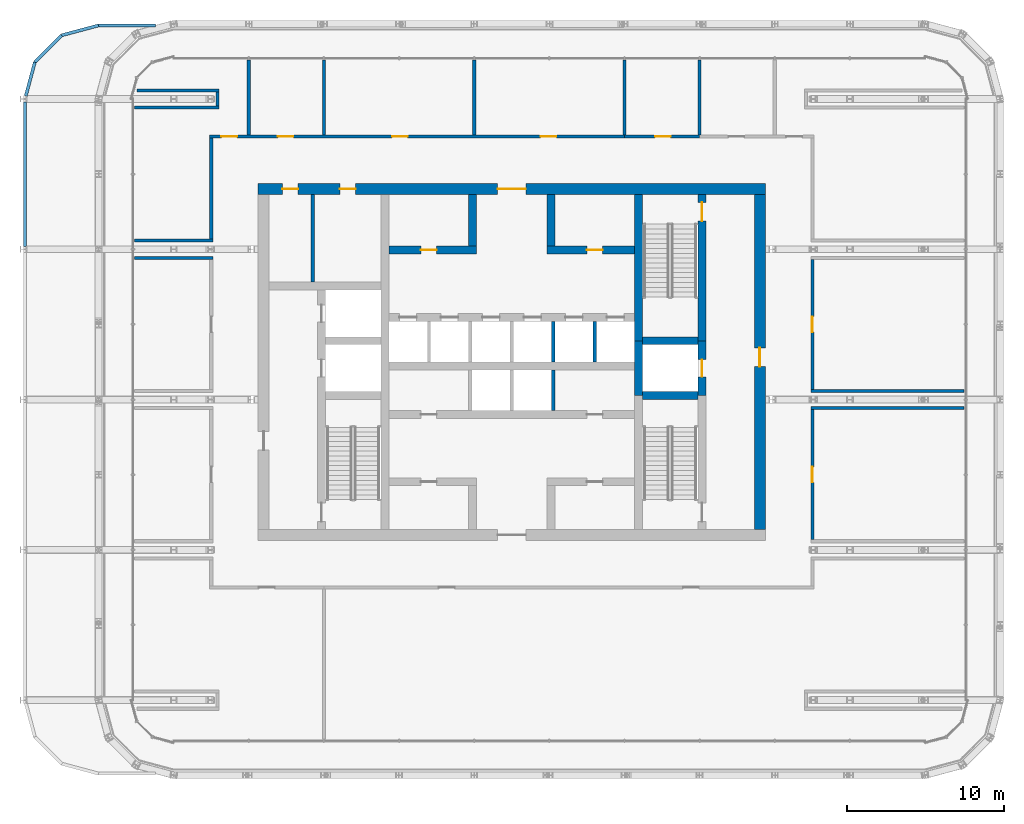
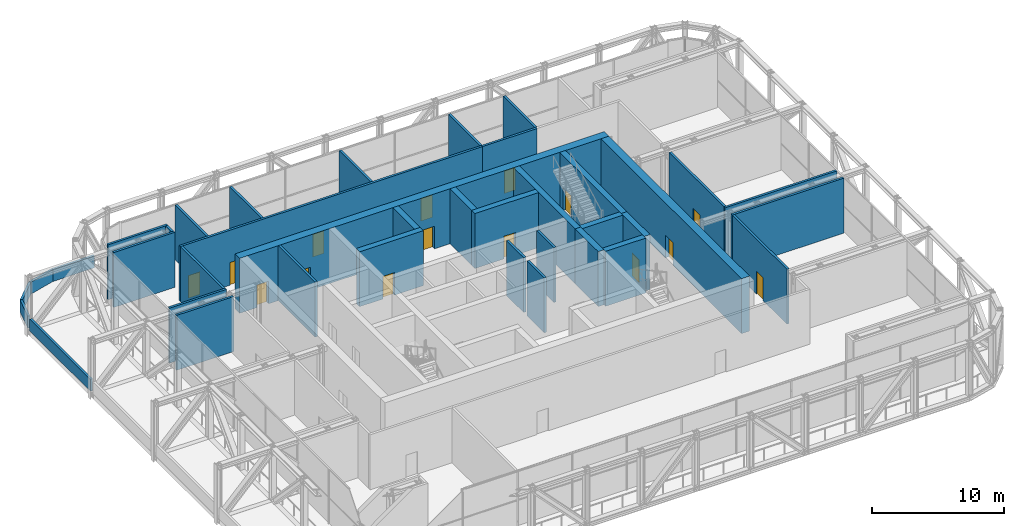
# One storey, part 21 of 30: 38 walls, 15 doors, 15 openings.
"""IFC4 building model written with IfcOpenShell, lengths in metres."""

from ifc_helpers import new_model, si_unit, direction, frame, frame_2d, origin, place, context, subcontext, project, spatial, rectangle, extrude, material, layer, layer_set, type_object, element, fill, save


model = new_model("IFC4")

# Units and contexts
model_context = context("Model", 3, precision=1e-05, world=origin(), true_north=direction((0.0, 1.0)))
body_context = subcontext(model_context, "Body", "Model", "MODEL_VIEW")
ifc_project = project(units=[si_unit("LENGTHUNIT", "METRE"), si_unit("AREAUNIT", "SQUARE_METRE"), si_unit("VOLUMEUNIT", "CUBIC_METRE"), si_unit("PLANEANGLEUNIT", "RADIAN"), si_unit("MASSUNIT", "GRAM", prefix="KILO")], contexts=[model_context])

# Site, building, storey
site_placement = place(None, origin())
site = spatial("IfcSite", under=ifc_project, at=site_placement, CompositionType="ELEMENT")
building_placement = place(site_placement, origin())
building = spatial("IfcBuilding", under=site, at=building_placement, Name="Madar Terraces", CompositionType="ELEMENT")
storey_placement = place(building_placement, frame((0.0, 0.0, 173.5)))
storey = spatial("IfcBuildingStorey", under=building, at=storey_placement, Name="L45", CompositionType="ELEMENT", Elevation=173.5)

# Walls
ifc_material_1 = material(Name="Concrete C60/75", Category="concrete")
ifc_layer_1 = layer(ifc_material_1, 0.5)
ifc_layer_set_1 = layer_set([ifc_layer_1], Name="Concrete C60/75 (CIW4 RC wall 500)")
wall_type_1 = type_object("IfcWallType", Name="CIW4 RC wall 500", PredefinedType="SHEAR", material=ifc_layer_set_1)
wall_1_placement = place(storey_placement, frame((39.300048828125, 24.25, 0.0), z_axis=(0.0, 0.0, 1.0), x_axis=(0.0, 1.0, 0.0)))
element("IfcWall", 1, at=wall_1_placement, inside=storey, type_object=wall_type_1, Name="CORE SHAFT WALL", PredefinedType="SHEAR", context=body_context, shape_type="SweptSolid", body=[
    extrude(rectangle(XDim=3.5, YDim=0.5, at=frame_2d((1.75, 0.0))), origin(), (0.0, 0.0, 1.0), 5.10009765625),
])
wall_2_placement = place(storey_placement, frame((39.300048828125, 27.75, 0.0), z_axis=(0.0, 0.0, 1.0), x_axis=(0.0, 1.0, 0.0)))
element("IfcWall", 2, at=wall_2_placement, inside=storey, type_object=wall_type_1, Name="CORE SHAFT WALL", PredefinedType="SHEAR", context=body_context, shape_type="SweptSolid", body=[
    extrude(rectangle(XDim=9.35009765625, YDim=0.5, at=frame_2d((4.675048828125, 0.0))), origin(), (0.0, 0.0, 1.0), 5.10009765625),
])

# Wall, opening, door
wall_3_placement = place(storey_placement, frame((43.35009765625, 24.25, 0.0), z_axis=(0.0, 0.0, 1.0), x_axis=(0.0, 1.0, 0.0)))
wall_3 = element("IfcWall", 3, at=wall_3_placement, inside=storey, type_object=wall_type_1, Name="CORE SHAFT WALL", PredefinedType="SHEAR", context=body_context, shape_type="SweptSolid", body=[
    extrude(rectangle(XDim=3.5, YDim=0.5, at=frame_2d((1.75, 0.0))), origin(), (0.0, 0.0, 1.0), 5.10009765625),
])
opening_1_placement = place(wall_3_placement, frame((1.199951171875, 0.0, 0.0)))
opening_1 = element("IfcOpeningElement", 4, at=opening_1_placement, cuts=wall_3, Name="Opening LD", PredefinedType="OPENING", context=body_context, shape_type="SweptSolid", body=[
    extrude(rectangle(XDim=1.10009765625, YDim=2.10009765625, at=frame_2d((0.550048828125, 1.050048828125))), frame((0.0, 0.260009765625, 0.0), z_axis=(0.0, -1.0, 0.0), x_axis=(1.0, 0.0, 0.0)), (0.0, 0.0, 1.0), 0.52001953125),
])
ifc_material_2 = material(Name="Stainless steel panel", Category="steel")
door_type_1 = type_object("IfcDoorType", Name="Lift landing door 1100 x 2100", OperationType="DOUBLE_DOOR_SLIDING", PredefinedType="DOOR", material=ifc_material_2)
door_1_placement = place(opening_1_placement, origin())
door_1 = element("IfcDoor", 5, at=door_1_placement, inside=storey, type_object=door_type_1, Name="LIFT LANDING DOOR", OperationType="DOUBLE_DOOR_SLIDING", OverallHeight=2.10009765625, OverallWidth=1.10009765625, PredefinedType="DOOR", context=body_context, shape_type="SweptSolid", body=[
    extrude(rectangle(XDim=1.10009765625, YDim=2.10009765625, at=frame_2d((0.550048828125, 1.050048828125))), frame((0.0, 0.02490234375, 0.0), z_axis=(0.0, -1.0, 0.0), x_axis=(1.0, 0.0, 0.0)), (0.0, 0.0, 1.0), 0.050048828125),
])
fill(opening_1, door_1)

wall_4_placement = place(storey_placement, frame((43.35009765625, 27.75, 0.0), z_axis=(0.0, 0.0, 1.0), x_axis=(0.0, 1.0, 0.0)))
wall_4 = element("IfcWall", 6, at=wall_4_placement, inside=storey, type_object=wall_type_1, Name="CORE SHAFT WALL", PredefinedType="SHEAR", context=body_context, shape_type="SweptSolid", body=[
    extrude(rectangle(XDim=9.35009765625, YDim=0.5, at=frame_2d((4.675048828125, 0.0))), origin(), (0.0, 0.0, 1.0), 5.10009765625),
])
opening_2_placement = place(wall_4_placement, frame((7.64990234375, 0.0, 0.0)))
opening_2 = element("IfcOpeningElement", 7, at=opening_2_placement, cuts=wall_4, Name="Opening SD1", PredefinedType="OPENING", context=body_context, shape_type="SweptSolid", body=[
    extrude(rectangle(XDim=1.199951171875, YDim=2.10009765625, at=frame_2d((0.60009765625, 1.050048828125))), frame((0.0, 0.260009765625, 0.0), z_axis=(0.0, -1.0, 0.0), x_axis=(1.0, 0.0, 0.0)), (0.0, 0.0, 1.0), 0.52001953125),
])
ifc_material_3 = material(Name="Steel door leaf", Category="steel")
door_type_2 = type_object("IfcDoorType", Name="Stair door 1200 x 2100", OperationType="NOTDEFINED", PredefinedType="DOOR", material=ifc_material_3)
door_2_placement = place(opening_2_placement, origin())
door_2 = element("IfcDoor", 8, at=door_2_placement, inside=storey, type_object=door_type_2, Name="STAIR DOOR", OperationType="SINGLE_SWING_LEFT", OverallHeight=2.10009765625, OverallWidth=1.199951171875, PredefinedType="DOOR", context=body_context, shape_type="SweptSolid", body=[
    extrude(rectangle(XDim=1.199951171875, YDim=2.10009765625, at=frame_2d((0.60009765625, 1.050048828125))), frame((0.0, 0.02490234375, 0.0), z_axis=(0.0, -1.0, 0.0), x_axis=(1.0, 0.0, 0.0)), (0.0, 0.0, 1.0), 0.050048828125),
])
fill(opening_2, door_2)

# Walls
for number, where, z_axis, x_axis, name in (
    (9, (39.550048828125, 24.25, 0.0), (0.0, 0.0, 1.0), (1.0, 0.0, 0.0), "CORE SHAFT WALL"),
    (10, (39.550048828125, 27.75, 0.0), (0.0, 0.0, 1.0), (1.0, 0.0, 0.0), "CORE SHAFT WALL"),
):
    element("IfcWall", number, at=place(storey_placement, frame(where, z_axis=z_axis, x_axis=x_axis)), inside=storey, type_object=wall_type_1, Name=name, PredefinedType="SHEAR", context=body_context, shape_type="SweptSolid", body=[
        extrude(rectangle(XDim=3.550048828125, YDim=0.5, at=frame_2d((1.77490234375, 0.0))), origin(), (0.0, 0.0, 1.0), 5.10009765625),
    ])

# Wall, opening, door
wall_5_placement = place(storey_placement, frame((23.35009765625, 33.550048828125, 0.0), z_axis=(0.0, 0.0, 1.0), x_axis=(1.0, 0.0, 0.0)))
wall_5 = element("IfcWall", 11, at=wall_5_placement, inside=storey, type_object=wall_type_1, Name="CORE SHAFT WALL", PredefinedType="SHEAR", context=body_context, shape_type="SweptSolid", body=[
    extrude(rectangle(XDim=5.599853515625, YDim=0.5, at=frame_2d((2.7998046875, 0.0))), origin(), (0.0, 0.0, 1.0), 5.10009765625),
])
opening_3_placement = place(wall_5_placement, frame((2.050048828125, 0.0, 0.0)))
opening_3 = element("IfcOpeningElement", 12, at=opening_3_placement, cuts=wall_5, Name="Opening KD2", PredefinedType="OPENING", context=body_context, shape_type="SweptSolid", body=[
    extrude(rectangle(XDim=1.0, YDim=2.10009765625, at=frame_2d((0.5, 1.050048828125))), frame((0.0, 0.260009765625, 0.0), z_axis=(0.0, -1.0, 0.0), x_axis=(1.0, 0.0, 0.0)), (0.0, 0.0, 1.0), 0.52001953125),
])
ifc_material_4 = material(Name="Steel door leaf", Category="steel")
door_type_3 = type_object("IfcDoorType", Name="Service room door 1000 x 2100", OperationType="NOTDEFINED", PredefinedType="DOOR", material=ifc_material_4)
door_3_placement = place(opening_3_placement, frame((1.0, 0.0, 0.0), z_axis=(0.0, 0.0, 1.0), x_axis=(-1.0, 0.0, 0.0)))
door_3 = element("IfcDoor", 13, at=door_3_placement, inside=storey, type_object=door_type_3, Name="SERVICE ROOM DOOR", OperationType="SINGLE_SWING_RIGHT", OverallHeight=2.10009765625, OverallWidth=1.0, PredefinedType="DOOR", context=body_context, shape_type="SweptSolid", body=[
    extrude(rectangle(XDim=1.0, YDim=2.10009765625, at=frame_2d((0.5, 1.050048828125))), frame((0.0, 0.02490234375, 0.0), z_axis=(0.0, -1.0, 0.0), x_axis=(1.0, 0.0, 0.0)), (0.0, 0.0, 1.0), 0.050048828125),
])
fill(opening_3, door_3)

wall_6_placement = place(storey_placement, frame((33.449951171875, 33.550048828125, 0.0), z_axis=(0.0, 0.0, 1.0), x_axis=(1.0, 0.0, 0.0)))
wall_6 = element("IfcWall", 14, at=wall_6_placement, inside=storey, type_object=wall_type_1, Name="CORE SHAFT WALL", PredefinedType="SHEAR", context=body_context, shape_type="SweptSolid", body=[
    extrude(rectangle(XDim=5.60009765625, YDim=0.5, at=frame_2d((2.800048828125, 0.0))), origin(), (0.0, 0.0, 1.0), 5.10009765625),
])
opening_4_placement = place(wall_6_placement, frame((2.550048828125, 0.0, 0.0)))
opening_4 = element("IfcOpeningElement", 15, at=opening_4_placement, cuts=wall_6, Name="Opening KD2", PredefinedType="OPENING", context=body_context, shape_type="SweptSolid", body=[
    extrude(rectangle(XDim=1.0, YDim=2.10009765625, at=frame_2d((0.5, 1.050048828125))), frame((0.0, 0.260009765625, 0.0), z_axis=(0.0, -1.0, 0.0), x_axis=(1.0, 0.0, 0.0)), (0.0, 0.0, 1.0), 0.52001953125),
])
door_4_placement = place(opening_4_placement, frame((1.0, 0.0, 0.0), z_axis=(0.0, 0.0, 1.0), x_axis=(-1.0, 0.0, 0.0)))
door_4 = element("IfcDoor", 16, at=door_4_placement, inside=storey, type_object=door_type_3, Name="SERVICE ROOM DOOR", OperationType="SINGLE_SWING_LEFT", OverallHeight=2.10009765625, OverallWidth=1.0, PredefinedType="DOOR", context=body_context, shape_type="SweptSolid", body=[
    extrude(rectangle(XDim=1.0, YDim=2.10009765625, at=frame_2d((0.5, 1.050048828125))), frame((0.0, 0.02490234375, 0.0), z_axis=(0.0, -1.0, 0.0), x_axis=(1.0, 0.0, 0.0)), (0.0, 0.0, 1.0), 0.050048828125),
])
fill(opening_4, door_4)

# Walls
for number, where, z_axis, x_axis, name in (
    (17, (28.699951171875, 33.800048828125, 0.0), (0.0, 0.0, 1.0), (0.0, 1.0, 0.0), "CORE SHAFT WALL"),
    (18, (33.699951171875, 33.800048828125, 0.0), (0.0, 0.0, 1.0), (0.0, 1.0, 0.0), "CORE SHAFT WALL"),
):
    element("IfcWall", number, at=place(storey_placement, frame(where, z_axis=z_axis, x_axis=x_axis)), inside=storey, type_object=wall_type_1, Name=name, PredefinedType="SHEAR", context=body_context, shape_type="SweptSolid", body=[
        extrude(rectangle(XDim=3.300048828125, YDim=0.5, at=frame_2d((1.64990234375, 0.0))), origin(), (0.0, 0.0, 1.0), 5.10009765625),
    ])

# Wall, openings, doors
ifc_material_5 = material(Name="Concrete C60/75", Category="concrete")
ifc_layer_2 = layer(ifc_material_5, 0.699951171875)
ifc_layer_set_2 = layer_set([ifc_layer_2], Name="Concrete C60/75 (CRW4 RC wall 700)")
wall_type_2 = type_object("IfcWallType", Name="CRW4 RC wall 700", PredefinedType="SHEAR", material=ifc_layer_set_2)
wall_7_placement = place(storey_placement, frame((15.0, 37.449951171875, 0.0), z_axis=(0.0, 0.0, 1.0), x_axis=(1.0, 0.0, 0.0)))
wall_7 = element("IfcWall", 19, at=wall_7_placement, inside=storey, type_object=wall_type_2, Name="CORE OUTER WALL", PredefinedType="SHEAR", context=body_context, shape_type="SweptSolid", body=[
    extrude(rectangle(XDim=32.39990234375, YDim=0.699951171875, at=frame_2d((16.199951171875, 0.0))), origin(), (0.0, 0.0, 1.0), 5.10009765625),
])
opening_5_placement = place(wall_7_placement, frame((15.300048828125, 0.0, 0.0)))
opening_5 = element("IfcOpeningElement", 20, at=opening_5_placement, cuts=wall_7, Name="Opening KD1", PredefinedType="OPENING", context=body_context, shape_type="SweptSolid", body=[
    extrude(rectangle(XDim=1.800048828125, YDim=2.10009765625, at=frame_2d((0.89990234375, 1.050048828125))), frame((0.0, 0.35986328125, 0.0), z_axis=(0.0, -1.0, 0.0), x_axis=(1.0, 0.0, 0.0)), (0.0, 0.0, 1.0), 0.719970703125),
])
opening_6_placement = place(wall_7_placement, frame((1.544189453125, 0.0, 0.0)))
opening_6 = element("IfcOpeningElement", 21, at=opening_6_placement, cuts=wall_7, Name="Opening KD2", PredefinedType="OPENING", context=body_context, shape_type="SweptSolid", body=[
    extrude(rectangle(XDim=1.0, YDim=2.10009765625, at=frame_2d((0.5, 1.050048828125))), frame((0.0, 0.35986328125, 0.0), z_axis=(0.0, -1.0, 0.0), x_axis=(1.0, 0.0, 0.0)), (0.0, 0.0, 1.0), 0.719970703125),
])
opening_7_placement = place(wall_7_placement, frame((5.21923828125, 0.0, 0.0)))
opening_7 = element("IfcOpeningElement", 22, at=opening_7_placement, cuts=wall_7, Name="Opening KD2", PredefinedType="OPENING", context=body_context, shape_type="SweptSolid", body=[
    extrude(rectangle(XDim=1.0, YDim=2.10009765625, at=frame_2d((0.5, 1.050048828125))), frame((0.0, 0.35986328125, 0.0), z_axis=(0.0, -1.0, 0.0), x_axis=(1.0, 0.0, 0.0)), (0.0, 0.0, 1.0), 0.719970703125),
])
ifc_material_6 = material(Name="Steel door leaf", Category="steel")
door_type_4 = type_object("IfcDoorType", Name="Lobby door pair 1800 x 2100", OperationType="DOUBLE_DOOR_SINGLE_SWING", PredefinedType="DOOR", material=ifc_material_6)
door_5_placement = place(opening_5_placement, origin())
door_5 = element("IfcDoor", 23, at=door_5_placement, inside=storey, type_object=door_type_4, Name="LIFT LOBBY DOOR", OperationType="DOUBLE_DOOR_SINGLE_SWING", OverallHeight=2.10009765625, OverallWidth=1.800048828125, PredefinedType="DOOR", context=body_context, shape_type="SweptSolid", body=[
    extrude(rectangle(XDim=1.800048828125, YDim=2.10009765625, at=frame_2d((0.89990234375, 1.050048828125))), frame((0.0, 0.02490234375, 0.0), z_axis=(0.0, -1.0, 0.0), x_axis=(1.0, 0.0, 0.0)), (0.0, 0.0, 1.0), 0.050048828125),
])
fill(opening_5, door_5)
door_6_placement = place(opening_6_placement, origin())
door_6 = element("IfcDoor", 24, at=door_6_placement, inside=storey, type_object=door_type_3, Name="SERVICE ROOM DOOR", OperationType="SINGLE_SWING_RIGHT", OverallHeight=2.10009765625, OverallWidth=1.0, PredefinedType="DOOR", context=body_context, shape_type="SweptSolid", body=[
    extrude(rectangle(XDim=1.0, YDim=2.10009765625, at=frame_2d((0.5, 1.050048828125))), frame((0.0, 0.02490234375, 0.0), z_axis=(0.0, -1.0, 0.0), x_axis=(1.0, 0.0, 0.0)), (0.0, 0.0, 1.0), 0.050048828125),
])
fill(opening_6, door_6)
door_7_placement = place(opening_7_placement, origin())
door_7 = element("IfcDoor", 25, at=door_7_placement, inside=storey, type_object=door_type_3, Name="SERVICE ROOM DOOR", OperationType="SINGLE_SWING_LEFT", OverallHeight=2.10009765625, OverallWidth=1.0, PredefinedType="DOOR", context=body_context, shape_type="SweptSolid", body=[
    extrude(rectangle(XDim=1.0, YDim=2.10009765625, at=frame_2d((0.5, 1.050048828125))), frame((0.0, 0.02490234375, 0.0), z_axis=(0.0, -1.0, 0.0), x_axis=(1.0, 0.0, 0.0)), (0.0, 0.0, 1.0), 0.050048828125),
])
fill(opening_7, door_7)

# Wall, opening, door
wall_8_placement = place(storey_placement, frame((47.050048828125, 15.699951171875, 0.0), z_axis=(0.0, 0.0, 1.0), x_axis=(0.0, 1.0, 0.0)))
wall_8 = element("IfcWall", 26, at=wall_8_placement, inside=storey, type_object=wall_type_2, Name="CORE OUTER WALL", PredefinedType="SHEAR", context=body_context, shape_type="SweptSolid", body=[
    extrude(rectangle(XDim=21.400146484375, YDim=0.699951171875, at=frame_2d((10.7001953125, 0.0))), origin(), (0.0, 0.0, 1.0), 5.10009765625),
])
opening_8_placement = place(wall_8_placement, frame((10.39990234375, 0.0, 0.0)))
opening_8 = element("IfcOpeningElement", 27, at=opening_8_placement, cuts=wall_8, Name="Opening SD1", PredefinedType="OPENING", context=body_context, shape_type="SweptSolid", body=[
    extrude(rectangle(XDim=1.199951171875, YDim=2.10009765625, at=frame_2d((0.60009765625, 1.050048828125))), frame((0.0, 0.35986328125, 0.0), z_axis=(0.0, -1.0, 0.0), x_axis=(1.0, 0.0, 0.0)), (0.0, 0.0, 1.0), 0.719970703125),
])
door_8_placement = place(opening_8_placement, origin())
door_8 = element("IfcDoor", 28, at=door_8_placement, inside=storey, type_object=door_type_2, Name="STAIR DOOR", OperationType="SINGLE_SWING_LEFT", OverallHeight=2.10009765625, OverallWidth=1.199951171875, PredefinedType="DOOR", context=body_context, shape_type="SweptSolid", body=[
    extrude(rectangle(XDim=1.199951171875, YDim=2.10009765625, at=frame_2d((0.60009765625, 1.050048828125))), frame((0.0, 0.02490234375, 0.0), z_axis=(0.0, -1.0, 0.0), x_axis=(1.0, 0.0, 0.0)), (0.0, 0.0, 1.0), 0.050048828125),
])
fill(opening_8, door_8)

# Walls
ifc_material_7 = material(Name="Masonry blockwork", Category="masonry")
ifc_layer_3 = layer(ifc_material_7, 0.199951171875)
ifc_layer_set_3 = layer_set([ifc_layer_3], Name="Core partition 200 blockwork")
wall_type_3 = type_object("IfcWallType", Name="Core partition 200 blockwork", PredefinedType="PARTITIONING", material=ifc_layer_set_3)
wall_9_placement = place(storey_placement, frame((18.488525390625, 31.5, 0.0), z_axis=(0.0, 0.0, 1.0), x_axis=(0.0, 1.0, 0.0)))
element("IfcWall", 29, at=wall_9_placement, inside=storey, type_object=wall_type_3, Name="SERVICE ROOM PARTITION", PredefinedType="PARTITIONING", context=body_context, shape_type="SweptSolid", body=[
    extrude(rectangle(XDim=5.60009765625, YDim=0.199951171875, at=frame_2d((2.800048828125, 0.0))), origin(), (0.0, 0.0, 1.0), 5.10009765625),
])
ifc_material_8 = material(Name="Concrete C40/50", Category="concrete")
ifc_layer_4 = layer(ifc_material_8, 0.199951171875)
ifc_layer_set_4 = layer_set([ifc_layer_4], Name="Core shaft dividing wall 200 C40/50")
wall_type_4 = type_object("IfcWallType", Name="Core shaft dividing wall 200 C40/50", PredefinedType="SOLIDWALL", material=ifc_layer_set_4)
wall_10_placement = place(storey_placement, frame((33.85009765625, 23.300048828125, 0.0), z_axis=(0.0, 0.0, 1.0), x_axis=(0.0, 1.0, 0.0)))
element("IfcWall", 30, at=wall_10_placement, inside=storey, type_object=wall_type_4, Name="SHAFT DIVIDING WALL", PredefinedType="SOLIDWALL", context=body_context, shape_type="SweptSolid", body=[
    extrude(rectangle(XDim=2.599853515625, YDim=0.199951171875, at=frame_2d((1.2998046875, 0.0))), origin(), (0.0, 0.0, 1.0), 5.10009765625),
])
for number, where, z_axis, x_axis, name in (
    (31, (33.85009765625, 26.39990234375, 0.0), (0.0, 0.0, 1.0), (0.0, 1.0, 0.0), "SHAFT DIVIDING WALL"),
    (32, (36.5, 26.39990234375, 0.0), (0.0, 0.0, 1.0), (0.0, 1.0, 0.0), "SHAFT DIVIDING WALL"),
):
    element("IfcWall", number, at=place(storey_placement, frame(where, z_axis=z_axis, x_axis=x_axis)), inside=storey, type_object=wall_type_4, Name=name, PredefinedType="SOLIDWALL", context=body_context, shape_type="SweptSolid", body=[
        extrude(rectangle(XDim=2.60009765625, YDim=0.199951171875, at=frame_2d((1.300048828125, 0.0))), origin(), (0.0, 0.0, 1.0), 5.10009765625),
    ])
ifc_material_9 = material(Name="Blockwork", Category="masonry")
ifc_layer_5 = layer(ifc_material_9, 0.199951171875)
ifc_layer_set_5 = layer_set([ifc_layer_5], Name="Partition 200 EI 120")
wall_type_5 = type_object("IfcWallType", Name="Partition 200 EI 120", PredefinedType="PARTITIONING", material=ifc_layer_set_5)
for number, where, z_axis, x_axis, name in (
    (33, (50.300048828125, 23.449951171875, 0.0), (0.0, 0.0, 1.0), (1.0, 0.0, 0.0), "Wall FIRE WATER TANK ROOM / TRUSS SLOT"),
    (34, (50.300048828125, 24.550048828125, 0.0), (0.0, 0.0, 1.0), (1.0, 0.0, 0.0), "Wall PUMP PLANT ROOM / TRUSS SLOT"),
):
    element("IfcWall", number, at=place(storey_placement, frame(where, z_axis=z_axis, x_axis=x_axis)), inside=storey, type_object=wall_type_5, Name=name, PredefinedType="PARTITIONING", context=body_context, shape_type="SweptSolid", body=[
        extrude(rectangle(XDim=9.800048828125, YDim=0.199951171875, at=frame_2d((4.89990234375, 0.0))), origin(), (0.0, 0.0, 1.0), 5.10009765625),
    ])
for number, where, z_axis, x_axis, name in (
    (35, (7.10009765625, 33.050048828125, 0.0), (0.0, 0.0, 1.0), (1.0, 0.0, 0.0), "Wall CHILLER PLANT ROOM / TRUSS SLOT"),
    (36, (7.10009765625, 34.14990234375, 0.0), (0.0, 0.0, 1.0), (1.0, 0.0, 0.0), "Wall ELECTRICAL PLANT ROOM / TRUSS SLOT"),
):
    element("IfcWall", number, at=place(storey_placement, frame(where, z_axis=z_axis, x_axis=x_axis)), inside=storey, type_object=wall_type_5, Name=name, PredefinedType="PARTITIONING", context=body_context, shape_type="SweptSolid", body=[
        extrude(rectangle(XDim=5.0, YDim=0.199951171875, at=frame_2d((2.5, 0.0))), origin(), (0.0, 0.0, 1.0), 5.10009765625),
    ])

# Wall, openings, doors
wall_11_placement = place(storey_placement, frame((11.89990234375, 40.800048828125, 0.0), z_axis=(0.0, 0.0, 1.0), x_axis=(1.0, 0.0, 0.0)))
wall_11 = element("IfcWall", 37, at=wall_11_placement, inside=storey, type_object=wall_type_5, Name="Wall ELECTRICAL PLANT ROOM + STORE PLANT ROOM", PredefinedType="PARTITIONING", context=body_context, shape_type="SweptSolid", body=[
    extrude(rectangle(XDim=26.5, YDim=0.199951171875, at=frame_2d((13.25, 0.0))), origin(), (0.0, 0.0, 1.0), 5.10009765625),
])
opening_9_placement = place(wall_11_placement, frame((4.35009765625, 0.0, 0.0)))
opening_9 = element("IfcOpeningElement", 38, at=opening_9_placement, cuts=wall_11, Name="Opening D33", PredefinedType="OPENING", context=body_context, shape_type="SweptSolid", body=[
    extrude(rectangle(XDim=1.0, YDim=2.10009765625, at=frame_2d((0.5, 1.050048828125))), frame((0.0, 0.10986328125, 0.0), z_axis=(0.0, -1.0, 0.0), x_axis=(1.0, 0.0, 0.0)), (0.0, 0.0, 1.0), 0.219970703125),
])
opening_10_placement = place(wall_11_placement, frame((11.64990234375, 0.0, 0.0)))
opening_10 = element("IfcOpeningElement", 39, at=opening_10_placement, cuts=wall_11, Name="Opening D33", PredefinedType="OPENING", context=body_context, shape_type="SweptSolid", body=[
    extrude(rectangle(XDim=1.0, YDim=2.10009765625, at=frame_2d((0.5, 1.050048828125))), frame((0.0, 0.10986328125, 0.0), z_axis=(0.0, -1.0, 0.0), x_axis=(1.0, 0.0, 0.0)), (0.0, 0.0, 1.0), 0.219970703125),
])
opening_11_placement = place(wall_11_placement, frame((21.14990234375, 0.0, 0.0)))
opening_11 = element("IfcOpeningElement", 40, at=opening_11_placement, cuts=wall_11, Name="Opening D33", PredefinedType="OPENING", context=body_context, shape_type="SweptSolid", body=[
    extrude(rectangle(XDim=1.0, YDim=2.10009765625, at=frame_2d((0.5, 1.050048828125))), frame((0.0, 0.10986328125, 0.0), z_axis=(0.0, -1.0, 0.0), x_axis=(1.0, 0.0, 0.0)), (0.0, 0.0, 1.0), 0.219970703125),
])
opening_12_placement = place(wall_11_placement, frame((0.75, 0.0, 0.0)))
opening_12 = element("IfcOpeningElement", 41, at=opening_12_placement, cuts=wall_11, Name="Opening D33", PredefinedType="OPENING", context=body_context, shape_type="SweptSolid", body=[
    extrude(rectangle(XDim=1.0, YDim=2.10009765625, at=frame_2d((0.5, 1.050048828125))), frame((0.0, 0.10986328125, 0.0), z_axis=(0.0, -1.0, 0.0), x_axis=(1.0, 0.0, 0.0)), (0.0, 0.0, 1.0), 0.219970703125),
])
ifc_material_10 = material(Name="Timber door leaf, fire-rated", Category="wood")
door_type_5 = type_object("IfcDoorType", Name="Podium door 1000 x 2100 FD90S", OperationType="NOTDEFINED", PredefinedType="DOOR", material=ifc_material_10)
door_9_placement = place(opening_9_placement, origin())
door_9 = element("IfcDoor", 42, at=door_9_placement, inside=storey, type_object=door_type_5, Name="Door STORE PLANT ROOM / RING CORRIDOR", OperationType="SINGLE_SWING_LEFT", OverallHeight=2.10009765625, OverallWidth=1.0, PredefinedType="DOOR", context=body_context, shape_type="SweptSolid", body=[
    extrude(rectangle(XDim=1.0, YDim=2.10009765625, at=frame_2d((0.5, 1.050048828125))), frame((0.0, 0.02490234375, 0.0), z_axis=(0.0, -1.0, 0.0), x_axis=(1.0, 0.0, 0.0)), (0.0, 0.0, 1.0), 0.050048828125),
])
fill(opening_9, door_9)
door_10_placement = place(opening_10_placement, origin())
door_10 = element("IfcDoor", 43, at=door_10_placement, inside=storey, type_object=door_type_5, Name="Door VENTILATION PLANT ROOM / RING CORRIDOR", OperationType="SINGLE_SWING_RIGHT", OverallHeight=2.10009765625, OverallWidth=1.0, PredefinedType="DOOR", context=body_context, shape_type="SweptSolid", body=[
    extrude(rectangle(XDim=1.0, YDim=2.10009765625, at=frame_2d((0.5, 1.050048828125))), frame((0.0, 0.02490234375, 0.0), z_axis=(0.0, -1.0, 0.0), x_axis=(1.0, 0.0, 0.0)), (0.0, 0.0, 1.0), 0.050048828125),
])
fill(opening_10, door_10)
door_11_placement = place(opening_11_placement, origin())
door_11 = element("IfcDoor", 44, at=door_11_placement, inside=storey, type_object=door_type_5, Name="Door TRANSFER PUMP PLANT ROOM / RING CORRIDOR", OperationType="SINGLE_SWING_LEFT", OverallHeight=2.10009765625, OverallWidth=1.0, PredefinedType="DOOR", context=body_context, shape_type="SweptSolid", body=[
    extrude(rectangle(XDim=1.0, YDim=2.10009765625, at=frame_2d((0.5, 1.050048828125))), frame((0.0, 0.02490234375, 0.0), z_axis=(0.0, -1.0, 0.0), x_axis=(1.0, 0.0, 0.0)), (0.0, 0.0, 1.0), 0.050048828125),
])
fill(opening_11, door_11)
door_12_placement = place(opening_12_placement, origin())
door_12 = element("IfcDoor", 45, at=door_12_placement, inside=storey, type_object=door_type_5, Name="Door ELECTRICAL PLANT ROOM / RING CORRIDOR", OperationType="SINGLE_SWING_LEFT", OverallHeight=2.10009765625, OverallWidth=1.0, PredefinedType="DOOR", context=body_context, shape_type="SweptSolid", body=[
    extrude(rectangle(XDim=1.0, YDim=2.10009765625, at=frame_2d((0.5, 1.050048828125))), frame((0.0, 0.02490234375, 0.0), z_axis=(0.0, -1.0, 0.0), x_axis=(1.0, 0.0, 0.0)), (0.0, 0.0, 1.0), 0.050048828125),
])
fill(opening_12, door_12)

# Walls
wall_12_placement = place(storey_placement, frame((7.10009765625, 42.64990234375, 0.0), z_axis=(0.0, 0.0, 1.0), x_axis=(1.0, 0.0, 0.0)))
element("IfcWall", 46, at=wall_12_placement, inside=storey, type_object=wall_type_5, Name="Wall ELECTRICAL PLANT ROOM / TRUSS SLOT", PredefinedType="PARTITIONING", context=body_context, shape_type="SweptSolid", body=[
    extrude(rectangle(XDim=5.39990234375, YDim=0.199951171875, at=frame_2d((2.699951171875, 0.0))), origin(), (0.0, 0.0, 1.0), 5.10009765625),
])
wall_13_placement = place(storey_placement, frame((7.25, 43.75, 0.0), z_axis=(0.0, 0.0, 1.0), x_axis=(1.0, 0.0, 0.0)))
element("IfcWall", 47, at=wall_13_placement, inside=storey, type_object=wall_type_5, Name="Wall ELECTRICAL PLANT ROOM / TRUSS SLOT", PredefinedType="PARTITIONING", context=body_context, shape_type="SweptSolid", body=[
    extrude(rectangle(XDim=5.25, YDim=0.199951171875, at=frame_2d((2.625, 0.0))), origin(), (0.0, 0.0, 1.0), 5.10009765625),
])
wall_14_placement = place(storey_placement, frame((12.0, 34.25, 0.0), z_axis=(0.0, 0.0, 1.0), x_axis=(0.0, 1.0, 0.0)))
element("IfcWall", 48, at=wall_14_placement, inside=storey, type_object=wall_type_5, Name="Wall ELECTRICAL PLANT ROOM / RING CORRIDOR", PredefinedType="PARTITIONING", context=body_context, shape_type="SweptSolid", body=[
    extrude(rectangle(XDim=6.449951171875, YDim=0.199951171875, at=frame_2d((3.22509765625, 0.0))), origin(), (0.0, 0.0, 1.0), 5.10009765625),
])
wall_15_placement = place(storey_placement, frame((12.39990234375, 42.75, 0.0), z_axis=(0.0, 0.0, 1.0), x_axis=(0.0, 1.0, 0.0)))
element("IfcWall", 49, at=wall_15_placement, inside=storey, type_object=wall_type_5, Name="Wall ELECTRICAL PLANT ROOM / TRUSS SLOT", PredefinedType="PARTITIONING", context=body_context, shape_type="SweptSolid", body=[
    extrude(rectangle(XDim=0.89990234375, YDim=0.199951171875, at=frame_2d((0.449951171875, 0.0))), origin(), (0.0, 0.0, 1.0), 5.10009765625),
])
for number, where, z_axis, x_axis, name in (
    (50, (14.39990234375, 40.89990234375, 0.0), (0.0, 0.0, 1.0), (0.0, 1.0, 0.0), "Wall STORE PLANT ROOM / ELECTRICAL PLANT ROOM"),
    (51, (19.199951171875, 40.89990234375, 0.0), (0.0, 0.0, 1.0), (0.0, 1.0, 0.0), "Wall STORE PLANT ROOM / VENTILATION PLANT ROOM"),
    (52, (28.800048828125, 40.89990234375, 0.0), (0.0, 0.0, 1.0), (0.0, 1.0, 0.0), "Wall VENTILATION PLANT ROOM / TRANSFER PUMP PLANT ROOM"),
    (53, (38.39990234375, 40.89990234375, 0.0), (0.0, 0.0, 1.0), (0.0, 1.0, 0.0), "Wall TRANSFER PUMP PLANT ROOM / ACCESSIBLE WC"),
    (54, (43.199951171875, 40.89990234375, 0.0), (0.0, 0.0, 1.0), (0.0, 1.0, 0.0), "Wall ACCESSIBLE WC / TRANSFORMER ROOM"),
):
    element("IfcWall", number, at=place(storey_placement, frame(where, z_axis=z_axis, x_axis=x_axis)), inside=storey, type_object=wall_type_5, Name=name, PredefinedType="PARTITIONING", context=body_context, shape_type="SweptSolid", body=[
        extrude(rectangle(XDim=4.800048828125, YDim=0.199951171875, at=frame_2d((2.39990234375, 0.0))), origin(), (0.0, 0.0, 1.0), 5.10009765625),
    ])

# Wall, opening, door
wall_16_placement = place(storey_placement, frame((50.39990234375, 23.35009765625, 0.0), z_axis=(0.0, 0.0, 1.0), x_axis=(0.0, -1.0, 0.0)))
wall_16 = element("IfcWall", 55, at=wall_16_placement, inside=storey, type_object=wall_type_5, Name="Wall FIRE WATER TANK ROOM / RING CORRIDOR", PredefinedType="PARTITIONING", context=body_context, shape_type="SweptSolid", body=[
    extrude(rectangle(XDim=8.300048828125, YDim=0.199951171875, at=frame_2d((4.14990234375, 0.0))), origin(), (0.0, 0.0, 1.0), 5.10009765625),
])
opening_13_placement = place(wall_16_placement, frame((3.64990234375, 0.0, 0.0)))
opening_13 = element("IfcOpeningElement", 56, at=opening_13_placement, cuts=wall_16, Name="Opening D33", PredefinedType="OPENING", context=body_context, shape_type="SweptSolid", body=[
    extrude(rectangle(XDim=1.0, YDim=2.10009765625, at=frame_2d((0.5, 1.050048828125))), frame((0.0, 0.10986328125, 0.0), z_axis=(0.0, -1.0, 0.0), x_axis=(1.0, 0.0, 0.0)), (0.0, 0.0, 1.0), 0.219970703125),
])
door_13_placement = place(opening_13_placement, origin())
door_13 = element("IfcDoor", 57, at=door_13_placement, inside=storey, type_object=door_type_5, Name="Door FIRE WATER TANK ROOM / RING CORRIDOR", OperationType="SINGLE_SWING_LEFT", OverallHeight=2.10009765625, OverallWidth=1.0, PredefinedType="DOOR", context=body_context, shape_type="SweptSolid", body=[
    extrude(rectangle(XDim=1.0, YDim=2.10009765625, at=frame_2d((0.5, 1.050048828125))), frame((0.0, 0.02490234375, 0.0), z_axis=(0.0, -1.0, 0.0), x_axis=(1.0, 0.0, 0.0)), (0.0, 0.0, 1.0), 0.050048828125),
])
fill(opening_13, door_13)

wall_17_placement = place(storey_placement, frame((50.39990234375, 32.949951171875, 0.0), z_axis=(0.0, 0.0, 1.0), x_axis=(0.0, -1.0, 0.0)))
wall_17 = element("IfcWall", 58, at=wall_17_placement, inside=storey, type_object=wall_type_5, Name="Wall PUMP PLANT ROOM / RING CORRIDOR", PredefinedType="PARTITIONING", context=body_context, shape_type="SweptSolid", body=[
    extrude(rectangle(XDim=8.300048828125, YDim=0.199951171875, at=frame_2d((4.14990234375, 0.0))), origin(), (0.0, 0.0, 1.0), 5.10009765625),
])
opening_14_placement = place(wall_17_placement, frame((3.64990234375, 0.0, 0.0)))
opening_14 = element("IfcOpeningElement", 59, at=opening_14_placement, cuts=wall_17, Name="Opening D33", PredefinedType="OPENING", context=body_context, shape_type="SweptSolid", body=[
    extrude(rectangle(XDim=1.0, YDim=2.10009765625, at=frame_2d((0.5, 1.050048828125))), frame((0.0, 0.10986328125, 0.0), z_axis=(0.0, -1.0, 0.0), x_axis=(1.0, 0.0, 0.0)), (0.0, 0.0, 1.0), 0.219970703125),
])
door_14_placement = place(opening_14_placement, origin())
door_14 = element("IfcDoor", 60, at=door_14_placement, inside=storey, type_object=door_type_5, Name="Door PUMP PLANT ROOM / RING CORRIDOR", OperationType="SINGLE_SWING_RIGHT", OverallHeight=2.10009765625, OverallWidth=1.0, PredefinedType="DOOR", context=body_context, shape_type="SweptSolid", body=[
    extrude(rectangle(XDim=1.0, YDim=2.10009765625, at=frame_2d((0.5, 1.050048828125))), frame((0.0, 0.02490234375, 0.0), z_axis=(0.0, -1.0, 0.0), x_axis=(1.0, 0.0, 0.0)), (0.0, 0.0, 1.0), 0.050048828125),
])
fill(opening_14, door_14)

ifc_material_11 = material(Name="Gypsum board partition, fire-rated")
ifc_layer_6 = layer(ifc_material_11, 0.199951171875)
ifc_layer_set_6 = layer_set([ifc_layer_6], Name="Partition 200 EI 60")
wall_type_6 = type_object("IfcWallType", Name="Partition 200 EI 60", PredefinedType="PARTITIONING", material=ifc_layer_set_6)
wall_18_placement = place(storey_placement, frame((38.39990234375, 40.800048828125, 0.0), z_axis=(0.0, 0.0, 1.0), x_axis=(1.0, 0.0, 0.0)))
wall_18 = element("IfcWall", 61, at=wall_18_placement, inside=storey, type_object=wall_type_6, Name="Wall ACCESSIBLE WC / RING CORRIDOR", PredefinedType="PARTITIONING", context=body_context, shape_type="SweptSolid", body=[
    extrude(rectangle(XDim=4.800048828125, YDim=0.199951171875, at=frame_2d((2.39990234375, 0.0))), origin(), (0.0, 0.0, 1.0), 5.10009765625),
])
opening_15_placement = place(wall_18_placement, frame((1.949951171875, 0.0, 0.0)))
opening_15 = element("IfcOpeningElement", 62, at=opening_15_placement, cuts=wall_18, Name="Opening D31", PredefinedType="OPENING", context=body_context, shape_type="SweptSolid", body=[
    extrude(rectangle(XDim=1.0, YDim=2.10009765625, at=frame_2d((0.5, 1.050048828125))), frame((0.0, 0.10986328125, 0.0), z_axis=(0.0, -1.0, 0.0), x_axis=(1.0, 0.0, 0.0)), (0.0, 0.0, 1.0), 0.219970703125),
])
ifc_material_12 = material(Name="Timber door leaf, fire-rated", Category="wood")
door_type_6 = type_object("IfcDoorType", Name="Podium door 1000 x 2100 FD30S", OperationType="NOTDEFINED", PredefinedType="DOOR", material=ifc_material_12)
door_15_placement = place(opening_15_placement, origin())
door_15 = element("IfcDoor", 63, at=door_15_placement, inside=storey, type_object=door_type_6, Name="Door ACCESSIBLE WC / RING CORRIDOR", OperationType="SINGLE_SWING_RIGHT", OverallHeight=2.10009765625, OverallWidth=1.0, PredefinedType="DOOR", context=body_context, shape_type="SweptSolid", body=[
    extrude(rectangle(XDim=1.0, YDim=2.10009765625, at=frame_2d((0.5, 1.050048828125))), frame((0.0, 0.02490234375, 0.0), z_axis=(0.0, -1.0, 0.0), x_axis=(1.0, 0.0, 0.0)), (0.0, 0.0, 1.0), 0.050048828125),
])
fill(opening_15, door_15)

# Walls
ifc_material_13 = material(Name="Concrete C40/50", Category="concrete")
ifc_layer_7 = layer(ifc_material_13, 0.199951171875)
ifc_layer_set_7 = layer_set([ifc_layer_7], Name="Roof parapet 200")
wall_type_7 = type_object("IfcWallType", Name="Roof parapet 200", PredefinedType="PARAPET", material=ifc_layer_set_7)
wall_19_placement = place(storey_placement, frame((0.10009765625, 43.00927734375, 0.0400390625), z_axis=(0.0, 0.0, 1.0), x_axis=(0.0, -1.0, 0.0)))
element("IfcWall", 64, at=wall_19_placement, inside=storey, type_object=wall_type_7, Name="Roof parapet", PredefinedType="PARAPET", context=body_context, shape_type="SweptSolid", body=[
    extrude(rectangle(XDim=9.218505859375, YDim=0.199951171875, at=frame_2d((4.609375, 0.0))), origin(), (0.0, 0.0, 1.0), 1.099853515625),
])
wall_20_placement = place(storey_placement, frame((8.45458984375, 47.89990234375, 0.0400390625), z_axis=(0.0, 0.0, 1.0), x_axis=(-1.0, 0.0, 0.0)))
element("IfcWall", 65, at=wall_20_placement, inside=storey, type_object=wall_type_7, Name="Roof parapet", PredefinedType="PARAPET", context=body_context, shape_type="SweptSolid", body=[
    extrude(rectangle(XDim=3.654541015625, YDim=0.199951171875, at=frame_2d((1.8271484375, 0.0))), origin(), (0.0, 0.0, 1.0), 1.099853515625),
])
for number, where, z_axis, x_axis, name in (
    (66, (4.800048828125, 47.89990234375, 0.0400390625), (0.0, 0.0, 1.0), (-0.965932823238, -0.258792930722, 0.0), "Roof parapet"),
    (67, (2.449951171875, 47.270263671875, 0.0400390625), (0.0, 0.0, 1.0), (-0.707106781187, -0.707106781187, 0.0), "Roof parapet"),
):
    element("IfcWall", number, at=place(storey_placement, frame(where, z_axis=z_axis, x_axis=x_axis)), inside=storey, type_object=wall_type_7, Name=name, PredefinedType="PARAPET", context=body_context, shape_type="SweptSolid", body=[
        extrude(rectangle(XDim=2.432861328125, YDim=0.199951171875, at=frame_2d((1.21630859375, 0.0))), origin(), (0.0, 0.0, 1.0), 1.099853515625),
    ])
wall_21_placement = place(storey_placement, frame((0.729736328125, 45.550048828125, 0.0400390625), z_axis=(0.0, 0.0, 1.0), x_axis=(-0.258845268489, -0.965918799372, 0.0)))
element("IfcWall", 68, at=wall_21_placement, inside=storey, type_object=wall_type_7, Name="Roof parapet", PredefinedType="PARAPET", context=body_context, shape_type="SweptSolid", body=[
    extrude(rectangle(XDim=2.2353515625, YDim=0.199951171875, at=frame_2d((1.11767578125, 0.0))), origin(), (0.0, 0.0, 1.0), 1.099853515625),
])

save(model, "model.ifc")
